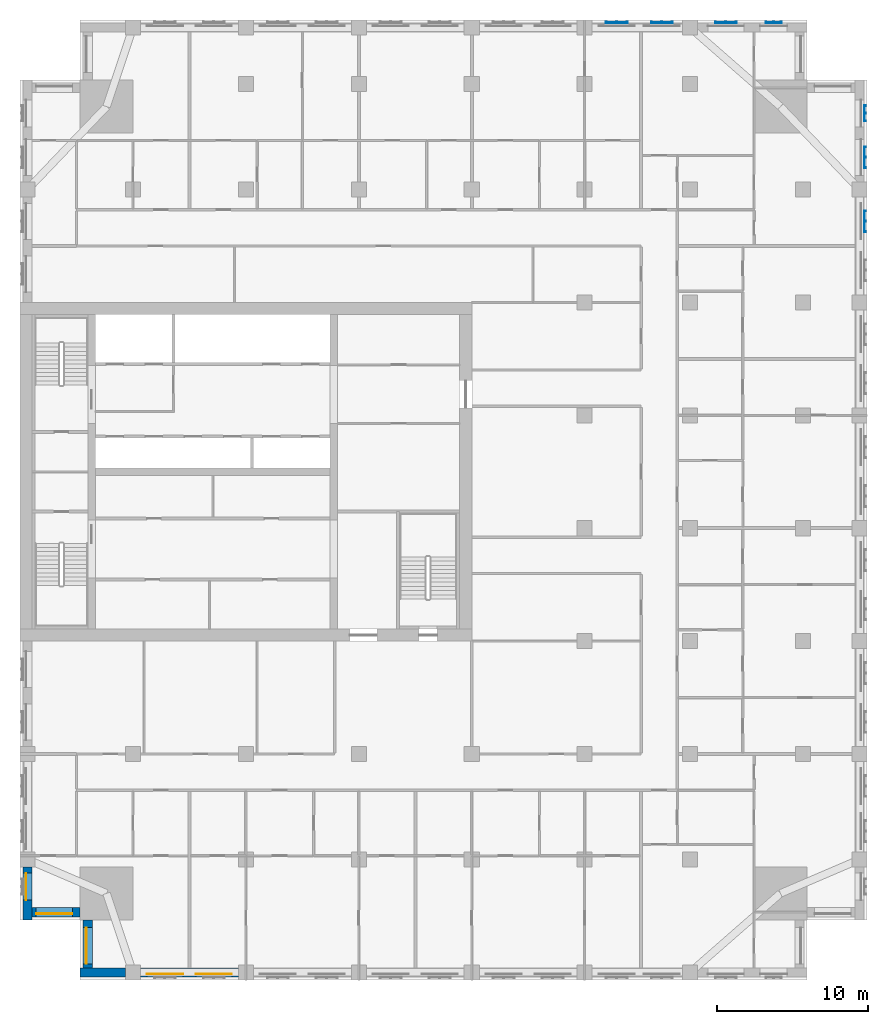
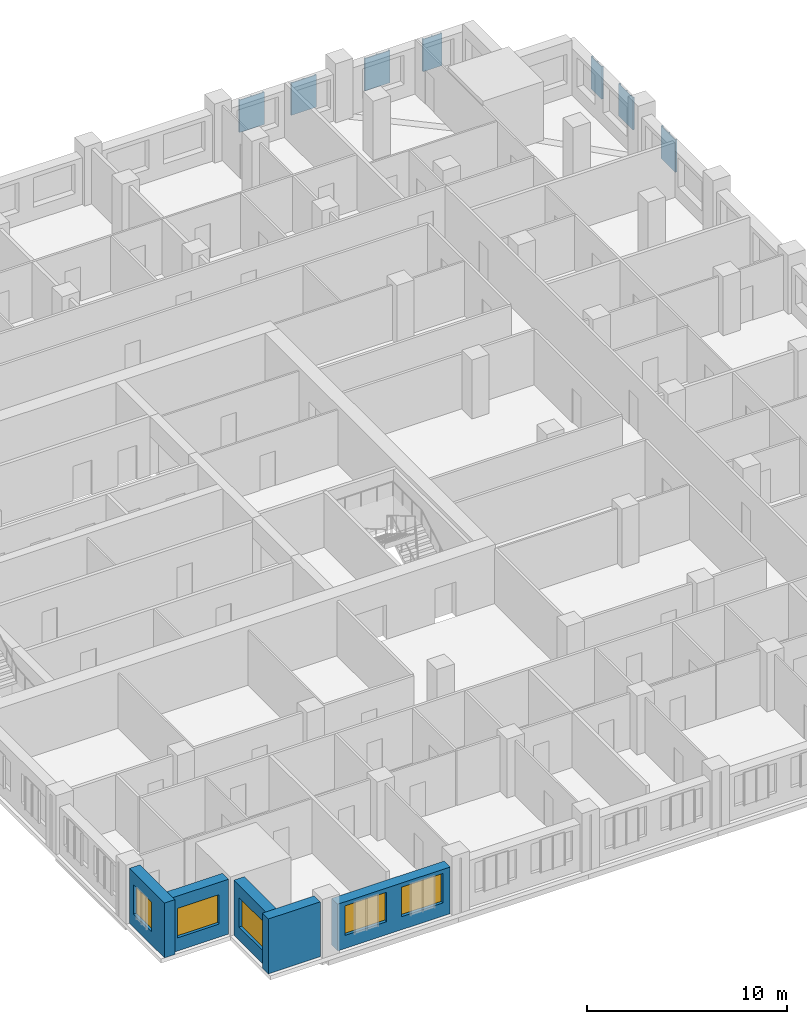
# One storey, part 3 of 13: 7 plates, 5 walls, 5 windows, 5 openings.
"""IFC4 building model written with IfcOpenShell, lengths in metres."""

import ifcopenshell
import ifcopenshell.guid

model = None  # the IFC model being written
_history = None  # IfcOwnerHistory: only IFC2X3 demands one
_inside = {}  # id of a spatial element -> (the spatial element, [elements in it])
_under = {}  # id of a project, library or spatial element -> (it, [spatial elements below it])
_declared = {}  # id of a project -> (the project, [libraries it declares])
_typed = {}  # id of a type object -> (the type object, [elements of that type])
_made_of = {}  # id of a material, layer set ... -> (it, [elements and type objects made of it])


def new_model(schema):
    """Start an empty IFC model of exactly this schema.

    Asked for "IFC4X3", IfcOpenShell would pick the latest addendum, in which some entities
    have other attributes; the version numbers below select the first issue.
    IFC2X3 requires an IfcOwnerHistory on every rooted entity: one is made here for all.
    """
    global model, _history
    if schema == "IFC4X3":
        model = ifcopenshell.file(schema_version=(4, 3, 0, 0))
    else:
        model = ifcopenshell.file(schema=schema)
    _inside.clear()
    _under.clear()
    _declared.clear()
    _typed.clear()
    _made_of.clear()
    _history = None
    if model.schema == "IFC2X3":
        org = make("IfcOrganization", Name="unknown")
        user = make(
            "IfcPersonAndOrganization",
            ThePerson=make("IfcPerson", FamilyName="unknown"),
            TheOrganization=org,
        )
        app = make(
            "IfcApplication",
            ApplicationDeveloper=org,
            Version="unknown",
            ApplicationFullName="unknown",
            ApplicationIdentifier="unknown",
        )
        _history = make(
            "IfcOwnerHistory",
            OwningUser=user,
            OwningApplication=app,
            ChangeAction="ADDED",
            CreationDate=0,
        )
    return model


def make(cls, **values):
    """One entity of the class cls with the attributes given. An attribute that is None is left unset."""
    return model.create_entity(
        cls, **{name: value for name, value in values.items() if value is not None}
    )


def rooted(cls, **values):
    """An entity with a GlobalId (a new one), such as an element, a storey or a relation."""
    return make(cls, GlobalId=ifcopenshell.guid.new(), OwnerHistory=_history, **values)


def si_unit(unit_type, name, prefix=None):
    """IfcSIUnit, for example si_unit("LENGTHUNIT", "METRE", prefix="MILLI")."""
    return make("IfcSIUnit", UnitType=unit_type, Prefix=prefix, Name=name)


def assignment(units):
    """IfcUnitAssignment: the units of a project."""
    return None if units is None else make("IfcUnitAssignment", Units=units)


def point(xyz):
    """IfcCartesianPoint."""
    return None if xyz is None else make("IfcCartesianPoint", Coordinates=xyz)


def direction(xyz):
    """IfcDirection."""
    return None if xyz is None else make("IfcDirection", DirectionRatios=xyz)


def frame(location, z_axis=None, x_axis=None):
    """IfcAxis2Placement3D, a coordinate frame: its origin and axes. An axis left out is left unset."""
    return make(
        "IfcAxis2Placement3D",
        Location=point(location),
        Axis=direction(z_axis),
        RefDirection=direction(x_axis),
    )


def frame_2d(location, x_axis=None):
    """IfcAxis2Placement2D, a coordinate frame in the plane: its origin and x axis."""
    return make(
        "IfcAxis2Placement2D", Location=point(location), RefDirection=direction(x_axis)
    )


def origin():
    """The frame at (0, 0, 0) with its axes left unset."""
    return frame((0.0, 0.0, 0.0))


def place(relative_to, where):
    """IfcLocalPlacement: puts the frame where relative to a parent placement (None: the world)."""
    return make(
        "IfcLocalPlacement", PlacementRelTo=relative_to, RelativePlacement=where
    )


def context(
    kind, dimensions, precision=None, world=None, true_north=None, identifier=None
):
    """IfcGeometricRepresentationContext, for example the 3D "Model" context."""
    return make(
        "IfcGeometricRepresentationContext",
        ContextIdentifier=identifier,
        ContextType=kind,
        CoordinateSpaceDimension=dimensions,
        Precision=precision,
        WorldCoordinateSystem=world,
        TrueNorth=true_north,
    )


def subcontext(parent, identifier, kind, view, scale=None):
    """IfcGeometricRepresentationSubContext, for example "Body" below "Model"."""
    return make(
        "IfcGeometricRepresentationSubContext",
        ContextIdentifier=identifier,
        ContextType=kind,
        ParentContext=parent,
        TargetScale=scale,
        TargetView=view,
    )


def project(units=None, contexts=None):
    """IfcProject with its units and contexts."""
    return rooted(
        "IfcProject",
        Name="project",
        RepresentationContexts=contexts,
        UnitsInContext=assignment(units),
    )


def spatial(cls, under=None, at=None, **own):
    """A site, building, storey or space (cls), placed at a placement, below another one or the project."""
    s = rooted(cls, ObjectPlacement=at, **own)
    if under is not None:
        _under.setdefault(under.id(), (under, []))[1].append(s)
    return s


def polyline(points):
    """IfcPolyline through the points."""
    return make("IfcPolyline", Points=[point(p) for p in points])


def profile(cls, at=None, kind="AREA", **sizes):
    """A parametric profile (cls). Its sizes go by their IFC names, for example OverallWidth=200.0."""
    return make(cls, ProfileType=kind, Position=at, **sizes)


def rectangle(**sizes):
    """IfcRectangleProfileDef."""
    return profile("IfcRectangleProfileDef", **sizes)


def outline(outer, holes=None, kind="AREA"):
    """IfcArbitraryClosedProfileDef: a profile drawn as a closed curve; with holes, ...WithVoids."""
    if holes is None:
        return make("IfcArbitraryClosedProfileDef", ProfileType=kind, OuterCurve=outer)
    return make(
        "IfcArbitraryProfileDefWithVoids",
        ProfileType=kind,
        OuterCurve=outer,
        InnerCurves=holes,
    )


def extrude(swept, where, along, depth):
    """IfcExtrudedAreaSolid: the profile swept, set in the frame where, extruded along a direction by depth."""
    return make(
        "IfcExtrudedAreaSolid",
        SweptArea=swept,
        Position=where,
        ExtrudedDirection=direction(along),
        Depth=depth,
    )


def shape(context_of_items, identifier, shape_type, items):
    """IfcShapeRepresentation: the items that make up one representation, for example the "Body"."""
    return make(
        "IfcShapeRepresentation",
        ContextOfItems=context_of_items,
        RepresentationIdentifier=identifier,
        RepresentationType=shape_type,
        Items=items,
    )


def material(Name=None, Category=None):
    """IfcMaterial."""
    return make("IfcMaterial", Name=Name, Category=Category)


def layer(
    of_material, thickness, ventilated=None, Name=None, Category=None, Priority=None
):
    """IfcMaterialLayer: one layer of a wall or slab, of a material (None: an air gap)."""
    return make(
        "IfcMaterialLayer",
        Material=of_material,
        LayerThickness=thickness,
        IsVentilated=ventilated,
        Name=Name,
        Category=Category,
        Priority=Priority,
    )


def layer_set(layers, Name=None):
    """IfcMaterialLayerSet."""
    return make("IfcMaterialLayerSet", MaterialLayers=layers, LayerSetName=Name)


def made_of(thing, what):
    """Note that an element or type object is made of a material, layer set ...; save() writes the relation."""
    if what is not None:
        _made_of.setdefault(what.id(), (what, []))[1].append(thing)
    return thing


def type_object(cls, material=None, **own):
    """A type object (cls), such as IfcWallType, which elements share."""
    return made_of(rooted(cls, **own), material)


def element(
    cls,
    number,
    at=None,
    inside=None,
    cuts=None,
    type_object=None,
    material=None,
    context=None,
    identifier="Body",
    shape_type=None,
    held_by="IfcProductDefinitionShape",
    body=None,
    shapes=None,
    **own,
):
    """One element of the class cls, such as IfcWall. Its Tag is "e" and its number.

    at: its placement. inside: the storey or other place that contains it. cuts: it is an
    opening in that element (IfcRelVoidsElement). A single representation is given by context,
    identifier, shape_type and body (its items); several are given by shapes. held_by: the class
    of the entity that holds the representations. save() writes the other relations.
    """
    e = rooted(cls, Tag="e%d" % number, ObjectPlacement=at, **own)
    if body is not None:
        shapes = [shape(context, identifier, shape_type, body)]
    if shapes is not None:
        e.Representation = make(held_by, Representations=shapes)
    if inside is not None:
        _inside.setdefault(inside.id(), (inside, []))[1].append(e)
    if cuts is not None:
        rooted(
            "IfcRelVoidsElement", RelatingBuildingElement=cuts, RelatedOpeningElement=e
        )
    if type_object is not None:
        _typed.setdefault(type_object.id(), (type_object, []))[1].append(e)
    return made_of(e, material)


def fill(opening, filler):
    """IfcRelFillsElement: the door or window that sits in an opening."""
    return rooted(
        "IfcRelFillsElement",
        RelatingOpeningElement=opening,
        RelatedBuildingElement=filler,
    )


def aggregate(whole, parts):
    """IfcRelAggregates: a whole, such as a stair, and the parts it consists of."""
    return rooted("IfcRelAggregates", RelatingObject=whole, RelatedObjects=parts)


def save(model, path):
    """Write the relations noted so far, then the file.

    IfcRelAggregates (storeys below a building ...), IfcRelContainedInSpatialStructure (elements
    in a storey), IfcRelDefinesByType, IfcRelAssociatesMaterial and IfcRelDeclares: one each for
    every whole, place, type object, material and project.
    """
    for whole, parts in _under.values():
        aggregate(whole, parts)
    for where, things in _inside.values():
        rooted(
            "IfcRelContainedInSpatialStructure",
            RelatedElements=things,
            RelatingStructure=where,
        )
    for kind, things in _typed.values():
        rooted("IfcRelDefinesByType", RelatedObjects=things, RelatingType=kind)
    for what, things in _made_of.values():
        rooted("IfcRelAssociatesMaterial", RelatedObjects=things, RelatingMaterial=what)
    for by, libraries in _declared.values():
        rooted("IfcRelDeclares", RelatingContext=by, RelatedDefinitions=libraries)
    model.write(path)


model = new_model("IFC4")

# Units and contexts
model_context = context("Model", 3, precision=1e-05, world=origin(), true_north=direction((0.0, 1.0)))
body_context = subcontext(model_context, "Body", "Model", "MODEL_VIEW")
ifc_project = project(units=[si_unit("LENGTHUNIT", "METRE"), si_unit("AREAUNIT", "SQUARE_METRE"), si_unit("VOLUMEUNIT", "CUBIC_METRE"), si_unit("PLANEANGLEUNIT", "RADIAN"), si_unit("MASSUNIT", "GRAM", prefix="KILO")], contexts=[model_context])

# Site, building, storey
site_placement = place(None, origin())
site = spatial("IfcSite", under=ifc_project, at=site_placement, CompositionType="ELEMENT")
building_placement = place(site_placement, origin())
building = spatial("IfcBuilding", under=site, at=building_placement, Name="Tamorin Gate", CompositionType="ELEMENT")
storey_placement = place(building_placement, frame((0.0, 0.0, 130.199951171875)))
storey = spatial("IfcBuildingStorey", under=building, at=storey_placement, Name="L31", CompositionType="ELEMENT", Elevation=130.199951171875)

# Plates
ifc_material_1 = material(Name="Perforated pale aluminium sheet", Category="aluminium")
ifc_layer_1 = layer(ifc_material_1, 0.0400390625)
ifc_layer_set_1 = layer_set([ifc_layer_1], Name="Pale metal solar screen 1080")
plate_type_1 = type_object("IfcPlateType", Name="Pale metal solar screen 1080", PredefinedType="SHEET", material=ifc_layer_set_1)
plate_1_placement = place(storey_placement, frame((0.0, 0.0, 0.7099609375)))
element("IfcPlate", 1, at=plate_1_placement, inside=storey, type_object=plate_type_1, Name="Perforated solar screen", PredefinedType="SHEET", context=body_context, shape_type="SweptSolid", body=[
    extrude(outline(polyline([(86.090087890625, 94.510009765625), (86.050048828125, 94.510009765625), (86.050048828125, 94.570068359375), (86.050048828125, 95.02001953125), (86.050048828125, 95.080078125), (86.050048828125, 95.530029296875), (86.050048828125, 95.590087890625), (86.090087890625, 95.590087890625), (86.14990234375, 95.590087890625), (86.14990234375, 95.530029296875), (86.090087890625, 95.530029296875), (86.090087890625, 95.080078125), (86.14990234375, 95.080078125), (86.14990234375, 95.02001953125), (86.090087890625, 95.02001953125), (86.090087890625, 94.570068359375), (86.14990234375, 94.570068359375), (86.14990234375, 94.510009765625), (86.090087890625, 94.510009765625)])), origin(), (0.0, 0.0, 1.0), 1.97998046875),
])
plate_2_placement = place(storey_placement, frame((0.0, 0.0, 0.7099609375)))
element("IfcPlate", 2, at=plate_2_placement, inside=storey, type_object=plate_type_1, Name="Perforated solar screen", PredefinedType="SHEET", context=body_context, shape_type="SweptSolid", body=[
    extrude(outline(polyline([(80.590087890625, 101.090087890625), (80.590087890625, 101.050048828125), (80.530029296875, 101.050048828125), (80.080078125, 101.050048828125), (80.02001953125, 101.050048828125), (79.570068359375, 101.050048828125), (79.510009765625, 101.050048828125), (79.510009765625, 101.090087890625), (79.510009765625, 101.14990234375), (79.570068359375, 101.14990234375), (79.570068359375, 101.090087890625), (80.02001953125, 101.090087890625), (80.02001953125, 101.14990234375), (80.080078125, 101.14990234375), (80.080078125, 101.090087890625), (80.530029296875, 101.090087890625), (80.530029296875, 101.14990234375), (80.590087890625, 101.14990234375), (80.590087890625, 101.090087890625)])), origin(), (0.0, 0.0, 1.0), 1.97998046875),
])
ifc_layer_2 = layer(ifc_material_1, 0.0400390625)
ifc_layer_set_2 = layer_set([ifc_layer_2], Name="Pale metal solar screen 1440")
plate_type_2 = type_object("IfcPlateType", Name="Pale metal solar screen 1440", PredefinedType="SHEET", material=ifc_layer_set_2)
plate_3_placement = place(storey_placement, frame((0.0, 0.0, 0.7099609375)))
element("IfcPlate", 3, at=plate_3_placement, inside=storey, type_object=plate_type_2, Name="Perforated solar screen", PredefinedType="SHEET", context=body_context, shape_type="SweptSolid", body=[
    extrude(outline(polyline([(86.090087890625, 87.155029296875), (86.050048828125, 87.155029296875), (86.050048828125, 87.215087890625), (86.050048828125, 87.844970703125), (86.050048828125, 87.905029296875), (86.050048828125, 88.534912109375), (86.050048828125, 88.594970703125), (86.090087890625, 88.594970703125), (86.14990234375, 88.594970703125), (86.14990234375, 88.534912109375), (86.090087890625, 88.534912109375), (86.090087890625, 87.905029296875), (86.14990234375, 87.905029296875), (86.14990234375, 87.844970703125), (86.090087890625, 87.844970703125), (86.090087890625, 87.215087890625), (86.14990234375, 87.215087890625), (86.14990234375, 87.155029296875), (86.090087890625, 87.155029296875)])), origin(), (0.0, 0.0, 1.0), 1.97998046875),
])
plate_4_placement = place(storey_placement, frame((0.0, 0.0, 0.7099609375)))
element("IfcPlate", 4, at=plate_4_placement, inside=storey, type_object=plate_type_2, Name="Perforated solar screen", PredefinedType="SHEET", context=body_context, shape_type="SweptSolid", body=[
    extrude(outline(polyline([(86.090087890625, 91.405029296875), (86.050048828125, 91.405029296875), (86.050048828125, 91.465087890625), (86.050048828125, 92.094970703125), (86.050048828125, 92.155029296875), (86.050048828125, 92.784912109375), (86.050048828125, 92.844970703125), (86.090087890625, 92.844970703125), (86.14990234375, 92.844970703125), (86.14990234375, 92.784912109375), (86.090087890625, 92.784912109375), (86.090087890625, 92.155029296875), (86.14990234375, 92.155029296875), (86.14990234375, 92.094970703125), (86.090087890625, 92.094970703125), (86.090087890625, 91.465087890625), (86.14990234375, 91.465087890625), (86.14990234375, 91.405029296875), (86.090087890625, 91.405029296875)])), origin(), (0.0, 0.0, 1.0), 1.97998046875),
])
plate_5_placement = place(storey_placement, frame((0.0, 0.0, 0.7099609375)))
element("IfcPlate", 5, at=plate_5_placement, inside=storey, type_object=plate_type_2, Name="Perforated solar screen", PredefinedType="SHEET", context=body_context, shape_type="SweptSolid", body=[
    extrude(outline(polyline([(77.594970703125, 101.090087890625), (77.594970703125, 101.050048828125), (77.534912109375, 101.050048828125), (76.905029296875, 101.050048828125), (76.844970703125, 101.050048828125), (76.215087890625, 101.050048828125), (76.155029296875, 101.050048828125), (76.155029296875, 101.050048828125), (76.155029296875, 101.090087890625), (76.155029296875, 101.090087890625), (76.155029296875, 101.14990234375), (76.215087890625, 101.14990234375), (76.215087890625, 101.090087890625), (76.844970703125, 101.090087890625), (76.844970703125, 101.14990234375), (76.905029296875, 101.14990234375), (76.905029296875, 101.090087890625), (77.534912109375, 101.090087890625), (77.534912109375, 101.14990234375), (77.594970703125, 101.14990234375), (77.594970703125, 101.090087890625)])), origin(), (0.0, 0.0, 1.0), 1.97998046875),
])
plate_6_placement = place(storey_placement, frame((0.0, 0.0, 0.7099609375)))
element("IfcPlate", 6, at=plate_6_placement, inside=storey, type_object=plate_type_2, Name="Perforated solar screen", PredefinedType="SHEET", context=body_context, shape_type="SweptSolid", body=[
    extrude(outline(polyline([(70.344970703125, 101.090087890625), (70.344970703125, 101.050048828125), (70.284912109375, 101.050048828125), (69.655029296875, 101.050048828125), (69.594970703125, 101.050048828125), (68.965087890625, 101.050048828125), (68.905029296875, 101.050048828125), (68.905029296875, 101.090087890625), (68.905029296875, 101.14990234375), (68.965087890625, 101.14990234375), (68.965087890625, 101.090087890625), (69.594970703125, 101.090087890625), (69.594970703125, 101.14990234375), (69.655029296875, 101.14990234375), (69.655029296875, 101.090087890625), (70.284912109375, 101.090087890625), (70.284912109375, 101.14990234375), (70.344970703125, 101.14990234375), (70.344970703125, 101.090087890625)])), origin(), (0.0, 0.0, 1.0), 1.97998046875),
])
plate_7_placement = place(storey_placement, frame((0.0, 0.0, 0.7099609375)))
element("IfcPlate", 7, at=plate_7_placement, inside=storey, type_object=plate_type_2, Name="Perforated solar screen", PredefinedType="SHEET", context=body_context, shape_type="SweptSolid", body=[
    extrude(outline(polyline([(73.344970703125, 101.090087890625), (73.344970703125, 101.050048828125), (73.284912109375, 101.050048828125), (72.655029296875, 101.050048828125), (72.594970703125, 101.050048828125), (71.965087890625, 101.050048828125), (71.905029296875, 101.050048828125), (71.905029296875, 101.090087890625), (71.905029296875, 101.14990234375), (71.965087890625, 101.14990234375), (71.965087890625, 101.090087890625), (72.594970703125, 101.090087890625), (72.594970703125, 101.14990234375), (72.655029296875, 101.14990234375), (72.655029296875, 101.090087890625), (73.284912109375, 101.090087890625), (73.284912109375, 101.14990234375), (73.344970703125, 101.14990234375), (73.344970703125, 101.090087890625)])), origin(), (0.0, 0.0, 1.0), 1.97998046875),
])

# Wall
ifc_material_2 = material(Name="Precast concrete C40/50", Category="concrete")
ifc_layer_3 = layer(ifc_material_2, 0.60009765625)
ifc_layer_set_3 = layer_set([ifc_layer_3], Name="Precast concrete C40/50")
wall_type = type_object("IfcWallType", Name="Board-marked concrete facade panel 600", PredefinedType="SOLIDWALL", material=ifc_layer_set_3)
wall_1_placement = place(storey_placement, frame((34.0, 38.0, 0.0), z_axis=(0.0, 0.0, 1.0), x_axis=(1.0, 0.0, 0.0)))
element("IfcWall", 8, at=wall_1_placement, inside=storey, type_object=wall_type, Name="Facade panel", PredefinedType="SOLIDWALL", context=body_context, shape_type="SweptSolid", body=[
    extrude(rectangle(XDim=3.0, YDim=0.60009765625, at=frame_2d((1.5, 0.0))), origin(), (0.0, 0.0, 1.0), 3.35009765625),
])

# Wall, openings, windows
wall_2_placement = place(storey_placement, frame((38.0, 38.0, 0.0), z_axis=(0.0, 0.0, 1.0), x_axis=(1.0, 0.0, 0.0)))
wall_2 = element("IfcWall", 9, at=wall_2_placement, inside=storey, type_object=wall_type, Name="Facade panel", PredefinedType="SOLIDWALL", context=body_context, shape_type="SweptSolid", body=[
    extrude(rectangle(XDim=6.5, YDim=0.60009765625, at=frame_2d((3.25, 0.0))), origin(), (0.0, 0.0, 1.0), 2.85009765625),
])
opening_1_placement = place(wall_2_placement, frame((0.425048828125, 0.0, 0.800048828125)))
opening_1 = element("IfcOpeningElement", 10, at=opening_1_placement, cuts=wall_2, Name="Opening WN1", PredefinedType="OPENING", context=body_context, shape_type="SweptSolid", body=[
    extrude(rectangle(XDim=2.39990234375, YDim=1.800048828125, at=frame_2d((1.199951171875, 0.89990234375))), frame((0.0, 0.31005859375, 0.0), z_axis=(0.0, -1.0, 0.0), x_axis=(1.0, 0.0, 0.0)), (0.0, 0.0, 1.0), 0.6201171875),
])
opening_2_placement = place(wall_2_placement, frame((3.675048828125, 0.0, 0.800048828125)))
opening_2 = element("IfcOpeningElement", 11, at=opening_2_placement, cuts=wall_2, Name="Opening WN1", PredefinedType="OPENING", context=body_context, shape_type="SweptSolid", body=[
    extrude(rectangle(XDim=2.39990234375, YDim=1.800048828125, at=frame_2d((1.199951171875, 0.89990234375))), frame((0.0, 0.31005859375, 0.0), z_axis=(0.0, -1.0, 0.0), x_axis=(1.0, 0.0, 0.0)), (0.0, 0.0, 1.0), 0.6201171875),
])
ifc_material_3 = material(Name="Clear glass in aluminium frame", Category="aluminium")
window_type_1 = type_object("IfcWindowType", Name="Deep-set window 2400x1800", PartitioningType="SINGLE_PANEL", PredefinedType="WINDOW", material=ifc_material_3)
window_1_placement = place(opening_1_placement, origin())
window_1 = element("IfcWindow", 12, at=window_1_placement, inside=storey, type_object=window_type_1, Name="Deep-set window", OverallHeight=1.800048828125, OverallWidth=2.39990234375, PartitioningType="SINGLE_PANEL", PredefinedType="WINDOW", context=body_context, shape_type="SweptSolid", body=[
    extrude(rectangle(XDim=2.39990234375, YDim=1.800048828125, at=frame_2d((1.199951171875, 0.89990234375))), frame((0.0, -0.070068359375, 0.0), z_axis=(0.0, -1.0, 0.0), x_axis=(1.0, 0.0, 0.0)), (0.0, 0.0, 1.0), 0.06005859375),
])
fill(opening_1, window_1)
window_2_placement = place(opening_2_placement, origin())
window_2 = element("IfcWindow", 13, at=window_2_placement, inside=storey, type_object=window_type_1, Name="Deep-set window", OverallHeight=1.800048828125, OverallWidth=2.39990234375, PartitioningType="SINGLE_PANEL", PredefinedType="WINDOW", context=body_context, shape_type="SweptSolid", body=[
    extrude(rectangle(XDim=2.39990234375, YDim=1.800048828125, at=frame_2d((1.199951171875, 0.89990234375))), frame((0.0, -0.070068359375, 0.0), z_axis=(0.0, -1.0, 0.0), x_axis=(1.0, 0.0, 0.0)), (0.0, 0.0, 1.0), 0.06005859375),
])
fill(opening_2, window_2)

# Wall, opening, window
wall_3_placement = place(storey_placement, frame((30.5, 45.0, 0.0), z_axis=(0.0, 0.0, 1.0), x_axis=(0.0, -1.0, 0.0)))
wall_3 = element("IfcWall", 14, at=wall_3_placement, inside=storey, type_object=wall_type, Name="Facade panel", PredefinedType="SOLIDWALL", context=body_context, shape_type="SweptSolid", body=[
    extrude(rectangle(XDim=3.5, YDim=0.60009765625, at=frame_2d((1.75, 0.0))), origin(), (0.0, 0.0, 1.0), 3.35009765625),
])
opening_3_placement = place(wall_3_placement, frame((0.39990234375, 0.0, 0.800048828125)))
opening_3 = element("IfcOpeningElement", 15, at=opening_3_placement, cuts=wall_3, Name="Opening WN2", PredefinedType="OPENING", context=body_context, shape_type="SweptSolid", body=[
    extrude(rectangle(XDim=1.800048828125, YDim=1.800048828125, at=frame_2d((0.89990234375, 0.89990234375))), frame((0.0, 0.31005859375, 0.0), z_axis=(0.0, -1.0, 0.0), x_axis=(1.0, 0.0, 0.0)), (0.0, 0.0, 1.0), 0.6201171875),
])
window_type_2 = type_object("IfcWindowType", Name="Deep-set window 1800x1800", PartitioningType="SINGLE_PANEL", PredefinedType="WINDOW", material=ifc_material_3)
window_3_placement = place(opening_3_placement, origin())
window_3 = element("IfcWindow", 16, at=window_3_placement, inside=storey, type_object=window_type_2, Name="Deep-set window", OverallHeight=1.800048828125, OverallWidth=1.800048828125, PartitioningType="SINGLE_PANEL", PredefinedType="WINDOW", context=body_context, shape_type="SweptSolid", body=[
    extrude(rectangle(XDim=1.800048828125, YDim=1.800048828125, at=frame_2d((0.89990234375, 0.89990234375))), frame((0.0, -0.070068359375, 0.0), z_axis=(0.0, -1.0, 0.0), x_axis=(1.0, 0.0, 0.0)), (0.0, 0.0, 1.0), 0.06005859375),
])
fill(opening_3, window_3)

wall_4_placement = place(storey_placement, frame((30.800048828125, 42.0, 0.0), z_axis=(0.0, 0.0, 1.0), x_axis=(1.0, 0.0, 0.0)))
wall_4 = element("IfcWall", 17, at=wall_4_placement, inside=storey, type_object=wall_type, Name="Facade panel", PredefinedType="SOLIDWALL", context=body_context, shape_type="SweptSolid", body=[
    extrude(rectangle(XDim=3.199951171875, YDim=0.60009765625, at=frame_2d((1.60009765625, 0.0))), origin(), (0.0, 0.0, 1.0), 3.35009765625),
])
opening_4_placement = place(wall_4_placement, frame((0.27490234375, 0.0, 0.800048828125)))
opening_4 = element("IfcOpeningElement", 18, at=opening_4_placement, cuts=wall_4, Name="Opening WN1", PredefinedType="OPENING", context=body_context, shape_type="SweptSolid", body=[
    extrude(rectangle(XDim=2.39990234375, YDim=1.800048828125, at=frame_2d((1.199951171875, 0.89990234375))), frame((0.0, 0.31005859375, 0.0), z_axis=(0.0, -1.0, 0.0), x_axis=(1.0, 0.0, 0.0)), (0.0, 0.0, 1.0), 0.6201171875),
])
window_4_placement = place(opening_4_placement, origin())
window_4 = element("IfcWindow", 19, at=window_4_placement, inside=storey, type_object=window_type_1, Name="Deep-set window", OverallHeight=1.800048828125, OverallWidth=2.39990234375, PartitioningType="SINGLE_PANEL", PredefinedType="WINDOW", context=body_context, shape_type="SweptSolid", body=[
    extrude(rectangle(XDim=2.39990234375, YDim=1.800048828125, at=frame_2d((1.199951171875, 0.89990234375))), frame((0.0, -0.070068359375, 0.0), z_axis=(0.0, -1.0, 0.0), x_axis=(1.0, 0.0, 0.0)), (0.0, 0.0, 1.0), 0.06005859375),
])
fill(opening_4, window_4)

wall_5_placement = place(storey_placement, frame((34.5, 41.5, 0.0), z_axis=(0.0, 0.0, 1.0), x_axis=(0.0, -1.0, 0.0)))
wall_5 = element("IfcWall", 20, at=wall_5_placement, inside=storey, type_object=wall_type, Name="Facade panel", PredefinedType="SOLIDWALL", context=body_context, shape_type="SweptSolid", body=[
    extrude(rectangle(XDim=3.199951171875, YDim=0.60009765625, at=frame_2d((1.60009765625, 0.0))), origin(), (0.0, 0.0, 1.0), 3.35009765625),
])
opening_5_placement = place(wall_5_placement, frame((0.52490234375, 0.0, 0.800048828125)))
opening_5 = element("IfcOpeningElement", 21, at=opening_5_placement, cuts=wall_5, Name="Opening WN1", PredefinedType="OPENING", context=body_context, shape_type="SweptSolid", body=[
    extrude(rectangle(XDim=2.39990234375, YDim=1.800048828125, at=frame_2d((1.199951171875, 0.89990234375))), frame((0.0, 0.31005859375, 0.0), z_axis=(0.0, -1.0, 0.0), x_axis=(1.0, 0.0, 0.0)), (0.0, 0.0, 1.0), 0.6201171875),
])
window_5_placement = place(opening_5_placement, origin())
window_5 = element("IfcWindow", 22, at=window_5_placement, inside=storey, type_object=window_type_1, Name="Deep-set window", OverallHeight=1.800048828125, OverallWidth=2.39990234375, PartitioningType="SINGLE_PANEL", PredefinedType="WINDOW", context=body_context, shape_type="SweptSolid", body=[
    extrude(rectangle(XDim=2.39990234375, YDim=1.800048828125, at=frame_2d((1.199951171875, 0.89990234375))), frame((0.0, -0.070068359375, 0.0), z_axis=(0.0, -1.0, 0.0), x_axis=(1.0, 0.0, 0.0)), (0.0, 0.0, 1.0), 0.06005859375),
])
fill(opening_5, window_5)

save(model, "model.ifc")
